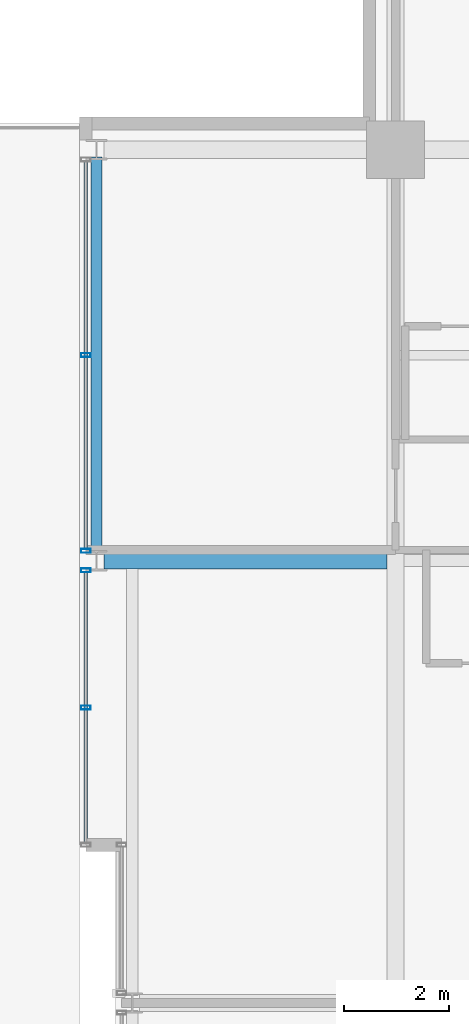
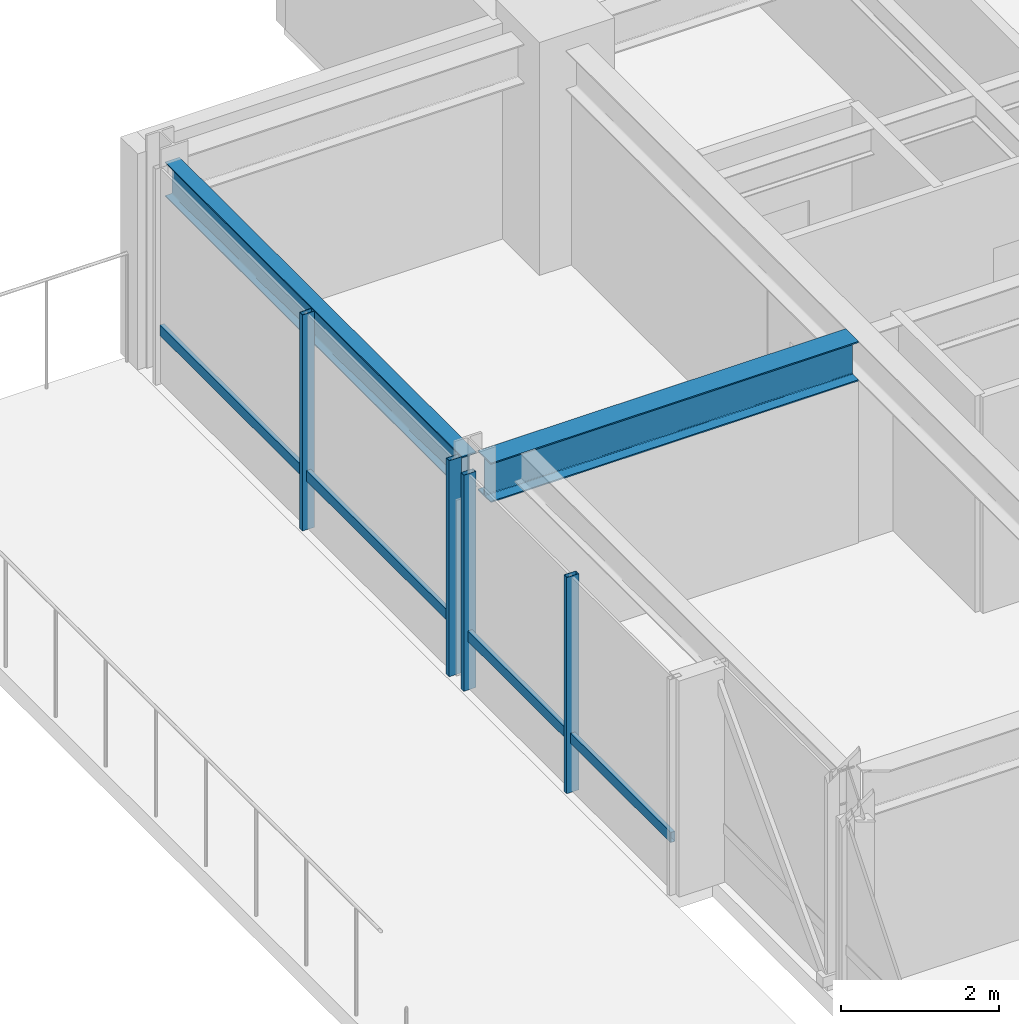
# One storey, part 16 of 32: 6 members, 2 beams, 2 elements without a shape of their own.
"""IFC4 building model written with IfcOpenShell, lengths in metres."""

from ifc_helpers import new_model, si_unit, direction, frame, origin, origin_2d, place, context, subcontext, project, spatial, hollow_rectangle, i_section, extrude, material, layer, layer_set, material_profile, profile_set, type_object, element, aggregate, save


model = new_model("IFC4")

# Units and contexts
model_context = context("Model", 3, precision=1e-05, world=origin(), true_north=direction((0.0, 1.0)))
body_context = subcontext(model_context, "Body", "Model", "MODEL_VIEW")
ifc_project = project(units=[si_unit("LENGTHUNIT", "METRE"), si_unit("AREAUNIT", "SQUARE_METRE"), si_unit("VOLUMEUNIT", "CUBIC_METRE"), si_unit("PLANEANGLEUNIT", "RADIAN"), si_unit("MASSUNIT", "GRAM", prefix="KILO")], contexts=[model_context])

# Site, building, storey
site_placement = place(None, origin())
site = spatial("IfcSite", under=ifc_project, at=site_placement, CompositionType="ELEMENT")
building_placement = place(site_placement, origin())
building = spatial("IfcBuilding", under=site, at=building_placement, Name="Drelvath Grand Hotel", CompositionType="ELEMENT")
storey_placement = place(building_placement, frame((0.0, 0.0, 205.10009765625)))
storey = spatial("IfcBuildingStorey", under=building, at=storey_placement, Name="L53", CompositionType="ELEMENT", Elevation=205.10009765625)

# Curtain wall, member
ifc_material_1 = material(Name="Platinum-Mist Anodised Aluminium Frame", Category="aluminium")
ifc_layer = layer(ifc_material_1, 0.199951171875)
ifc_layer_set = layer_set([ifc_layer], Name="Platinum-Mist Anodised Aluminium Frame")
curtain_wall_type = type_object("IfcCurtainWallType", Name="Stick Curtain Wall CW-05 Platinum Mist High-Rise", PredefinedType="NOTDEFINED", material=ifc_layer_set)
curtain_wall_1_placement = place(storey_placement, origin())
curtain_wall_1 = element("IfcCurtainWall", 1, at=curtain_wall_1_placement, inside=storey, type_object=curtain_wall_type, Name="L53 CW-05 Curtain Wall CW05-L53-WN1", PredefinedType="NOTDEFINED")
ifc_material_profile_1 = material_profile(ifc_material_1, hollow_rectangle(XDim=0.06494140625, YDim=0.159912109375, WallThickness=0.00390625, at=origin_2d()), Name="HSS160X65X4")
ifc_profile_set_1 = profile_set([ifc_material_profile_1], Name="Platinum-Mist Anodised Aluminium Frame")
member_type_1 = type_object("IfcMemberType", Name="Curtain Wall Horizontal Transom CW-05 HSS160X65X4", PredefinedType="USERDEFINED", material=ifc_profile_set_1)
member_1_placement = place(storey_placement, frame((-22.080078125, 30.0400390625, 0.8349609375), z_axis=(0.0, 1.0, 0.0), x_axis=(-1.0, 0.0, 0.0)))
member_1 = element("IfcMember", 2, at=member_1_placement, type_object=member_type_1, Name="CW05-L53-WN1 Sill Transom", ObjectType="TRANSOM", PredefinedType="USERDEFINED", context=body_context, shape_type="SweptSolid", body=[
    extrude(hollow_rectangle(XDim=0.06494140625, YDim=0.159912109375, WallThickness=0.00390625, at=origin_2d()), origin(), (0.0, 0.0, 1.0), 5.134765625),
])

curtain_wall_2_placement = place(storey_placement, origin())
curtain_wall_2 = element("IfcCurtainWall", 3, at=curtain_wall_2_placement, inside=storey, type_object=curtain_wall_type, Name="L53 CW-05 Curtain Wall CW05-L53-WN2", PredefinedType="NOTDEFINED")
member_2_placement = place(storey_placement, frame((-22.080078125, 35.625244140625, 0.8349609375), z_axis=(0.0, 1.0, 0.0), x_axis=(-1.0, 0.0, 0.0)))
member_2 = element("IfcMember", 4, at=member_2_placement, type_object=member_type_1, Name="CW05-L53-WN2 Sill Transom", ObjectType="TRANSOM", PredefinedType="USERDEFINED", context=body_context, shape_type="SweptSolid", body=[
    extrude(hollow_rectangle(XDim=0.06494140625, YDim=0.159912109375, WallThickness=0.00390625, at=origin_2d()), origin(), (0.0, 0.0, 1.0), 7.349365234375),
])

# Member
ifc_material_profile_2 = material_profile(ifc_material_1, hollow_rectangle(XDim=0.074951171875, YDim=0.179931640625, WallThickness=0.0048828125, at=origin_2d()), Name="HSS180X75X5")
ifc_profile_set_2 = profile_set([ifc_material_profile_2], Name="Platinum-Mist Anodised Aluminium Frame")
member_type_2 = type_object("IfcMemberType", Name="Curtain Wall Vertical Mullion CW-05 HSS180X75X5", PredefinedType="MULLION", material=ifc_profile_set_2)
member_3_placement = place(storey_placement, frame((-22.080078125, 32.607421875, 0.0), z_axis=(0.0, 0.0, 1.0), x_axis=(0.0, 1.0, 0.0)))
member_3 = element("IfcMember", 5, at=member_3_placement, type_object=member_type_2, Name="CW05-L53-WN1 Mullion 2", PredefinedType="MULLION", context=body_context, shape_type="SweptSolid", body=[
    extrude(hollow_rectangle(XDim=0.074951171875, YDim=0.179931640625, WallThickness=0.0048828125, at=origin_2d()), origin(), (0.0, 0.0, 1.0), 3.33984375),
])

member_4_placement = place(storey_placement, frame((-22.080078125, 35.214599609375, 0.0), z_axis=(0.0, 0.0, 1.0), x_axis=(0.0, 1.0, 0.0)))
member_4 = element("IfcMember", 6, at=member_4_placement, type_object=member_type_2, Name="CW05-L53-WN1 Mullion 3", PredefinedType="MULLION", context=body_context, shape_type="SweptSolid", body=[
    extrude(hollow_rectangle(XDim=0.074951171875, YDim=0.179931640625, WallThickness=0.0048828125, at=origin_2d()), origin(), (0.0, 0.0, 1.0), 3.33984375),
])

aggregate(curtain_wall_1, [member_3, member_4, member_1])

member_5_placement = place(storey_placement, frame((-22.080078125, 35.585205078125, 0.0), z_axis=(0.0, 0.0, 1.0), x_axis=(0.0, 1.0, 0.0)))
member_5 = element("IfcMember", 7, at=member_5_placement, type_object=member_type_2, Name="CW05-L53-WN2 Mullion 1", PredefinedType="MULLION", context=body_context, shape_type="SweptSolid", body=[
    extrude(hollow_rectangle(XDim=0.074951171875, YDim=0.179931640625, WallThickness=0.0048828125, at=origin_2d()), origin(), (0.0, 0.0, 1.0), 3.33984375),
])

member_6_placement = place(storey_placement, frame((-22.080078125, 39.300048828125, 0.0), z_axis=(0.0, 0.0, 1.0), x_axis=(0.0, 1.0, 0.0)))
member_6 = element("IfcMember", 8, at=member_6_placement, type_object=member_type_2, Name="CW05-L53-WN2 Mullion 2", PredefinedType="MULLION", context=body_context, shape_type="SweptSolid", body=[
    extrude(hollow_rectangle(XDim=0.074951171875, YDim=0.179931640625, WallThickness=0.0048828125, at=origin_2d()), origin(), (0.0, 0.0, 1.0), 3.33984375),
])

aggregate(curtain_wall_2, [member_5, member_6, member_2])

# Beams
ifc_material_2 = material(Name="Steel ASTM A992 Gr 50", Category="steel")
ifc_material_profile_3 = material_profile(ifc_material_2, i_section(OverallWidth=0.210205078125, OverallDepth=0.53662109375, WebThickness=0.010986328125, FlangeThickness=0.017333984375, FilletRadius=0.01806640625, at=origin_2d()), Name="W21X68")
ifc_profile_set_3 = profile_set([ifc_material_profile_3], Name="Steel ASTM A992 Gr 50")
beam_type_1 = type_object("IfcBeamType", Name="Perimeter Spandrel Beam W21X68", PredefinedType="SPANDREL", material=ifc_profile_set_3)
beam_1_placement = place(storey_placement, frame((-21.8798828125, 35.5400390625, 3.071533203125), z_axis=(0.0, 1.0, 0.0), x_axis=(-1.0, 0.0, 0.0)))
element("IfcBeam", 9, at=beam_1_placement, inside=storey, type_object=beam_type_1, Name="L53 Spandrel West N", PredefinedType="SPANDREL", context=body_context, shape_type="SweptSolid", body=[
    extrude(i_section(OverallWidth=0.210205078125, OverallDepth=0.53662109375, WebThickness=0.010986328125, FlangeThickness=0.017333984375, FilletRadius=0.01806640625, at=origin_2d()), origin(), (0.0, 0.0, 1.0), 7.52001953125),
])
ifc_material_profile_4 = material_profile(ifc_material_2, i_section(OverallWidth=0.323974609375, OverallDepth=0.611083984375, WebThickness=0.0126953125, FlangeThickness=0.01904296875, FilletRadius=0.02197265625, at=origin_2d()), Name="W24X104")
ifc_profile_set_4 = profile_set([ifc_material_profile_4], Name="Steel ASTM A992 Gr 50")
beam_type_2 = type_object("IfcBeamType", Name="Primary Floor Girder W24X104", PredefinedType="BEAM", material=ifc_profile_set_4)
beam_2_placement = place(storey_placement, frame((-21.739990234375, 35.39990234375, 3.034423828125), z_axis=(1.0, 0.0, 0.0), x_axis=(0.0, 1.0, 0.0)))
element("IfcBeam", 10, at=beam_2_placement, inside=storey, type_object=beam_type_2, Name="L53 West Wing Girder F", PredefinedType="BEAM", context=body_context, shape_type="SweptSolid", body=[
    extrude(i_section(OverallWidth=0.323974609375, OverallDepth=0.611083984375, WebThickness=0.0126953125, FlangeThickness=0.01904296875, FilletRadius=0.02197265625, at=origin_2d()), origin(), (0.0, 0.0, 1.0), 5.3779296875),
])

save(model, "model.ifc")
